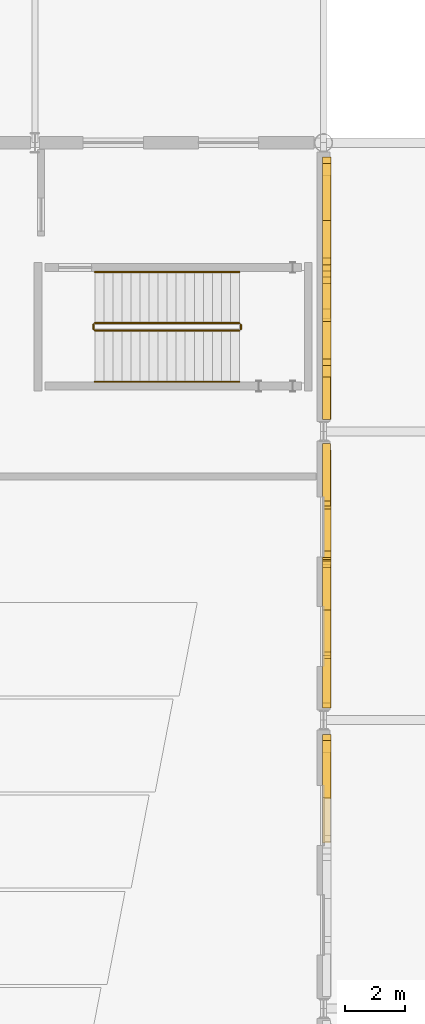
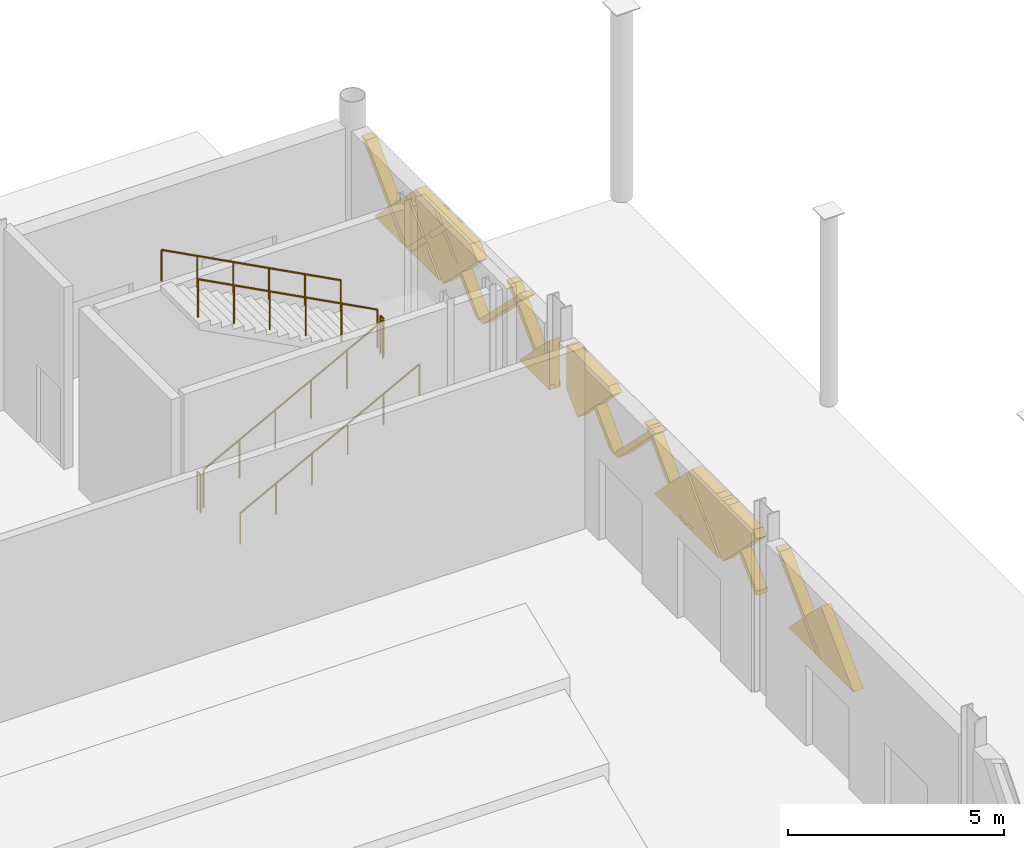
# One storey, part 84 of 84: 18 coverings, 6 railings.
"""IFC4 building model written with IfcOpenShell, lengths in metres."""

from ifc_helpers import new_model, si_unit, direction, frame, origin, origin_2d, place, context, subcontext, project, spatial, polyline, circle, outline, extrude, material, layer, layer_set, type_object, element, save


model = new_model("IFC4")

# Units and contexts
model_context = context("Model", 3, precision=1e-05, world=origin(), true_north=direction((0.0, 1.0)))
body_context = subcontext(model_context, "Body", "Model", "MODEL_VIEW")
ifc_project = project(units=[si_unit("LENGTHUNIT", "METRE"), si_unit("AREAUNIT", "SQUARE_METRE"), si_unit("VOLUMEUNIT", "CUBIC_METRE"), si_unit("PLANEANGLEUNIT", "RADIAN"), si_unit("MASSUNIT", "GRAM", prefix="KILO")], contexts=[model_context])

# Site, building, storey
site_placement = place(None, origin())
site = spatial("IfcSite", under=ifc_project, at=site_placement, CompositionType="ELEMENT")
building_placement = place(site_placement, origin())
building = spatial("IfcBuilding", under=site, at=building_placement, Name="Zevrakil Square Congress Hotel", CompositionType="ELEMENT")
storey_placement = place(building_placement, origin())
storey = spatial("IfcBuildingStorey", under=building, at=storey_placement, Name="L01", CompositionType="ELEMENT", Elevation=0.0)

# Coverings
ifc_material_1 = material(Name="Architectural White Fibre-C GRC", Category="concrete")
ifc_layer_1 = layer(ifc_material_1, 0.06494140625)
ifc_layer_set_1 = layer_set([ifc_layer_1], Name="Architectural White Fibre-C GRC")
covering_type_1 = type_object("IfcCoveringType", Name="COV-DIA-WHITE", PredefinedType="CLADDING", material=ifc_layer_set_1)
for number, where, z_axis, x_axis, name in (
    (1, (165.8291015625, 91.02001953125, 4.139892578125), (0.999999790873, 0.0, 0.000646725815), (0.000457304257, 0.707106707249, -0.707106707249), "L01 45-degree white GRC diamond facade cassette 941"),
    (2, (165.8291015625, 97.260009765625, 4.139892578125), (0.999999790873, 0.0, 0.000646725815), (0.000457304257, 0.707106707249, -0.707106707249), "L01 45-degree white GRC diamond facade cassette 974"),
):
    element("IfcCovering", number, at=place(storey_placement, frame(where, z_axis=z_axis, x_axis=x_axis)), inside=storey, type_object=covering_type_1, Name=name, PredefinedType="CLADDING", context=body_context, shape_type="SweptSolid", body=[
        extrude(outline(polyline([(0.0, 0.0), (2.1354765131557993, 0.0), (4.465861884739297e-07, -2.1354765131557527), (0.0, 0.0)])), origin(), (0.0, 0.0, -1.0), 0.27001953125),
    ])
covering_1_placement = place(storey_placement, frame((165.8291015625, 97.169921875, 4.22998046875), z_axis=(0.999999803724, -8.07688e-07, 0.000626539465), x_axis=(0.00044249326, -0.707052458079, -0.70716096168)))
element("IfcCovering", 3, at=covering_1_placement, inside=storey, type_object=covering_type_1, Name="L01 45-degree white GRC diamond facade cassette 975", PredefinedType="CLADDING", context=body_context, shape_type="SweptSolid", body=[
    extrude(outline(polyline([(0.0, 0.0), (2.2485513373808494, 2.220446049250313e-16), (2.248379569122854, -2.234568012423998), (2.2342225381517227, -2.2487228684184846), (2.0149779180247176, -2.2487061124420116), (-1.8015363149936903e-05, -0.2334005651501796), (0.0, 0.0)])), origin(), (0.0, 0.0, -1.0), 0.27001953125),
])
covering_2_placement = place(storey_placement, frame((165.829833984375, 102.300048828125, 2.639892578125), z_axis=(0.999999814078, 4.5803963e-05, 0.000608066682), x_axis=(-0.000397579809, -0.707106748799, 0.707106701802)))
element("IfcCovering", 4, at=covering_2_placement, inside=storey, type_object=covering_type_1, Name="L01 45-degree white GRC diamond facade cassette 976", PredefinedType="CLADDING", context=body_context, shape_type="SweptSolid", body=[
    extrude(outline(polyline([(0.0, 0.0), (2.248723973755684, -2.220446049250313e-16), (2.2487240630648127, -0.23340056844139778), (0.8875090449305891, -1.5946157084161463), (7.356714415429622e-08, -0.7071068184861958), (0.0, 0.0)])), origin(), (0.0, 0.0, -1.0), 0.27001953125),
])
covering_3_placement = place(storey_placement, frame((165.830078125, 105.010009765625, 2.6298828125), z_axis=(0.999999760208, 0.0, 0.00069252061), x_axis=(0.0, -1.0, 0.0)))
element("IfcCovering", 5, at=covering_3_placement, inside=storey, type_object=covering_type_1, Name="L01 45-degree white GRC diamond facade cassette 1007", PredefinedType="CLADDING", context=body_context, shape_type="SweptSolid", body=[
    extrude(outline(polyline([(0.0, 0.0), (1.409912109375, 0.0), (1.409912109375, -1.4101565881448697), (0.0, 0.0)])), origin(), (0.0, 0.0, -1.0), 0.27001953125),
])
covering_4_placement = place(storey_placement, frame((165.8291015625, 110.219970703125, 4.139892578125), z_axis=(0.999999790873, 0.0, 0.000646725815), x_axis=(0.000457304257, 0.707106707249, -0.707106707249)))
element("IfcCovering", 6, at=covering_4_placement, inside=storey, type_object=covering_type_1, Name="L01 45-degree white GRC diamond facade cassette 1008", PredefinedType="CLADDING", context=body_context, shape_type="SweptSolid", body=[
    extrude(outline(polyline([(0.0, 0.0), (2.1354765131557993, 0.0), (4.465861884739297e-07, -2.1354765131557527), (0.0, 0.0)])), origin(), (0.0, 0.0, -1.0), 0.27001953125),
])
covering_5_placement = place(storey_placement, frame((165.8291015625, 110.1298828125, 4.22998046875), z_axis=(0.999999852381, 0.0, 0.00054335861), x_axis=(0.000384242074, -0.707052454375, -0.707160999434)))
element("IfcCovering", 7, at=covering_5_placement, inside=storey, type_object=covering_type_1, Name="L01 45-degree white GRC diamond facade cassette 1009", PredefinedType="CLADDING", context=body_context, shape_type="SweptSolid", body=[
    extrude(outline(polyline([(0.0, 0.0), (2.248551348859632, 0.0), (2.248378471249448, -2.2487239690700145), (1.8029840035601115, -2.24868981178257), (-3.4279142421073105e-05, -0.44539446767997504), (0.0, 0.0)])), origin(), (0.0, 0.0, -1.0), 0.27001953125),
])
ifc_material_2 = material(Name="Anodised Champagne Aluminium", Category="aluminium")
ifc_layer_2 = layer(ifc_material_2, 0.0849609375)
ifc_layer_set_2 = layer_set([ifc_layer_2], Name="Anodised Champagne Aluminium")
covering_type_2 = type_object("IfcCoveringType", Name="COV-DIAGRID-45", PredefinedType="MOLDING", material=ifc_layer_set_2)
covering_6_placement = place(storey_placement, frame((165.85498046875, 91.2060546875, 2.6298828125), z_axis=(0.999999796842, 0.0, 0.000637429753), x_axis=(0.0, -1.0, 0.0)))
element("IfcCovering", 8, at=covering_6_placement, inside=storey, type_object=covering_type_2, Name="L01 45-degree aluminium diagrid rib 945", PredefinedType="MOLDING", context=body_context, shape_type="SweptSolid", body=[
    extrude(outline(polyline([(0.0, 0.0), (0.212158203125, 0.0), (-1.702880859375, -1.9150394515562854), (-1.9150390625, -1.9150394515562854), (0.0, 0.0)])), origin(), (0.0, 0.0, -1.0), 0.294921875),
])
covering_7_placement = place(storey_placement, frame((165.85498046875, 94.086181640625, 2.6298828125), z_axis=(0.999999906989, 0.000168052447, 0.000397214875), x_axis=(0.000168052434, -0.999999985879, 6.6753e-08)))
element("IfcCovering", 9, at=covering_7_placement, inside=storey, type_object=covering_type_2, Name="L01 45-degree aluminium diagrid rib 977", PredefinedType="MOLDING", context=body_context, shape_type="SweptSolid", body=[
    extrude(outline(polyline([(0.0, 0.0), (0.0861816394080452, 1.1406045165281983e-24), (0.08618164783364732, -0.12622069316746967), (-1.552734399359781, -1.7651369674038146), (-1.7648925994889348, -1.7651369674038146), (0.0, 0.0)])), origin(), (0.0, 0.0, -1.0), 0.294921875),
])
covering_8_placement = place(storey_placement, frame((165.85498046875, 97.446044921875, 2.6298828125), z_axis=(0.999999846957, 0.0, 0.000553250261), x_axis=(0.0, -1.0, 0.0)))
element("IfcCovering", 10, at=covering_8_placement, inside=storey, type_object=covering_type_2, Name="L01 45-degree aluminium diagrid rib 978", PredefinedType="MOLDING", context=body_context, shape_type="SweptSolid", body=[
    extrude(outline(polyline([(0.0, 0.0), (0.212158203125, 0.0), (-1.552734375, -1.7651369888917496), (-1.76513671875, -1.7651369888917496), (0.0, 0.0)])), origin(), (0.0, 0.0, -1.0), 0.294921875),
])
covering_9_placement = place(storey_placement, frame((165.85498046875, 100.80615234375, 2.6298828125), z_axis=(0.999999846957, 0.0, 0.000553250261), x_axis=(0.0, -1.0, 0.0)))
element("IfcCovering", 11, at=covering_9_placement, inside=storey, type_object=covering_type_2, Name="L01 45-degree aluminium diagrid rib 979", PredefinedType="MOLDING", context=body_context, shape_type="SweptSolid", body=[
    extrude(outline(polyline([(0.0, 0.0), (0.212158203125, 0.0), (-1.552734375, -1.7651369888917499), (-1.764892578125, -1.7651369888917499), (0.0, 0.0)])), origin(), (0.0, 0.0, -1.0), 0.294921875),
])
covering_10_placement = place(storey_placement, frame((165.85400390625, 95.308837890625, 4.39501953125), z_axis=(0.999999846957, 0.0, 0.000553250261), x_axis=(0.0, 1.0, 0.0)))
element("IfcCovering", 12, at=covering_10_placement, inside=storey, type_object=covering_type_2, Name="L01 45-degree aluminium diagrid rib 980", PredefinedType="MOLDING", context=body_context, shape_type="SweptSolid", body=[
    extrude(outline(polyline([(0.0, 0.0), (0.212158203125, 0.0), (1.977294921875, -1.7651369888917499), (1.76513671875, -1.7651369888917499), (0.0, 0.0)])), origin(), (0.0, 0.0, -1.0), 0.294921875),
])
covering_11_placement = place(storey_placement, frame((165.85400390625, 98.6689453125, 4.39501953125), z_axis=(0.999999846957, 0.0, 0.000553250261), x_axis=(0.0, 1.0, 0.0)))
element("IfcCovering", 13, at=covering_11_placement, inside=storey, type_object=covering_type_2, Name="L01 45-degree aluminium diagrid rib 981", PredefinedType="MOLDING", context=body_context, shape_type="SweptSolid", body=[
    extrude(outline(polyline([(0.0, 0.0), (0.212158203125, 0.0), (1.97705078125, -1.7651369888917499), (1.764892578125, -1.7651369888917499), (0.0, 0.0)])), origin(), (0.0, 0.0, -1.0), 0.294921875),
])
covering_12_placement = place(storey_placement, frame((165.85498046875, 103.68603515625, 2.6298828125), z_axis=(0.999999876977, 0.000193407177, 0.000456770142), x_axis=(0.000193407157, -0.999999981297, 8.8343e-08)))
element("IfcCovering", 14, at=covering_12_placement, inside=storey, type_object=covering_type_2, Name="L01 45-degree aluminium diagrid rib 1010", PredefinedType="MOLDING", context=body_context, shape_type="SweptSolid", body=[
    extrude(outline(polyline([(0.0, 0.0), (0.08593749839269647, 1.137373342260413e-24), (0.08593750954336479, -0.12622068995772054), (-1.7028808944388751, -1.915039420304851), (-1.9150390935958446, -1.915039420304851), (0.0, 0.0)])), origin(), (0.0, 0.0, -1.0), 0.294921875),
])
covering_13_placement = place(storey_placement, frame((165.85498046875, 107.046142578125, 2.6298828125), z_axis=(0.999999796842, 0.0, 0.000637429753), x_axis=(0.0, -1.0, 0.0)))
element("IfcCovering", 15, at=covering_13_placement, inside=storey, type_object=covering_type_2, Name="L01 45-degree aluminium diagrid rib 1011", PredefinedType="MOLDING", context=body_context, shape_type="SweptSolid", body=[
    extrude(outline(polyline([(0.0, 0.0), (0.212158203125, 0.0), (-1.70263671875, -1.9150394515562854), (-1.9150390625, -1.9150394515562854), (0.0, 0.0)])), origin(), (0.0, 0.0, -1.0), 0.294921875),
])
covering_14_placement = place(storey_placement, frame((165.85498046875, 110.406005859375, 2.6298828125), z_axis=(0.999999796842, 0.0, 0.000637429753), x_axis=(0.0, -1.0, 0.0)))
element("IfcCovering", 16, at=covering_14_placement, inside=storey, type_object=covering_type_2, Name="L01 45-degree aluminium diagrid rib 1012", PredefinedType="MOLDING", context=body_context, shape_type="SweptSolid", body=[
    extrude(outline(polyline([(0.0, 0.0), (0.212158203125, 0.0), (-1.702880859375, -1.9150394515562854), (-1.9150390625, -1.9150394515562854), (0.0, 0.0)])), origin(), (0.0, 0.0, -1.0), 0.294921875),
])
covering_15_placement = place(storey_placement, frame((165.853759765625, 104.7587890625, 4.544921875), z_axis=(0.999999796842, 0.0, 0.000637429753), x_axis=(0.0, 1.0, 0.0)))
element("IfcCovering", 17, at=covering_15_placement, inside=storey, type_object=covering_type_2, Name="L01 45-degree aluminium diagrid rib 1013", PredefinedType="MOLDING", context=body_context, shape_type="SweptSolid", body=[
    extrude(outline(polyline([(0.0, 0.0), (0.21240234375, 0.0), (2.127197265625, -1.9150394515562854), (1.9150390625, -1.9150394515562854), (0.0, 0.0)])), origin(), (0.0, 0.0, -1.0), 0.294921875),
])
covering_16_placement = place(storey_placement, frame((165.853759765625, 108.118896484375, 4.544921875), z_axis=(0.999999796842, 0.0, 0.000637429753), x_axis=(0.0, 1.0, 0.0)))
element("IfcCovering", 18, at=covering_16_placement, inside=storey, type_object=covering_type_2, Name="L01 45-degree aluminium diagrid rib 1014", PredefinedType="MOLDING", context=body_context, shape_type="SweptSolid", body=[
    extrude(outline(polyline([(0.0, 0.0), (0.212158203125, 0.0), (2.127197265625, -1.9150394515562854), (1.9150390625, -1.9150394515562854), (0.0, 0.0)])), origin(), (0.0, 0.0, -1.0), 0.294921875),
])

# Railings
ifc_material_3 = material(Name="Steel S355", Category="steel")
railing_type_1 = type_object("IfcRailingType", Name="RLG-STAIR-GUARD-1100", PredefinedType="BALUSTRADE", material=ifc_material_3)
railing_1_placement = place(storey_placement, frame((158.0, 106.550048828125, 0.158935546875)))
element("IfcRailing", 19, at=railing_1_placement, inside=storey, type_object=railing_type_1, Name="L01 ST10 stair guard 1", PredefinedType="BALUSTRADE", context=body_context, shape_type="SweptSolid", body=[
    extrude(circle(Radius=0.02392578125, at=origin_2d()), frame((0.0, 0.0, 1.076171875), z_axis=(0.883802130504, 0.0, 0.467860870469), x_axis=(0.0, 1.0, 0.0)), (0.0, 0.0, 1.0), 5.43115234375),
    extrude(circle(Radius=0.02099609375, at=origin_2d()), origin(), (0.0, 0.0, 1.0), 1.052001953125),
    extrude(circle(Radius=0.02099609375, at=origin_2d()), frame((0.9599609375, 0.0, 0.50830078125)), (0.0, 0.0, 1.0), 1.052001953125),
    extrude(circle(Radius=0.02099609375, at=origin_2d()), frame((1.919921875, 0.0, 1.016357421875)), (0.0, 0.0, 1.0), 1.052001953125),
    extrude(circle(Radius=0.02099609375, at=origin_2d()), frame((2.880126953125, 0.0, 1.524658203125)), (0.0, 0.0, 1.0), 1.052001953125),
    extrude(circle(Radius=0.02099609375, at=origin_2d()), frame((3.840087890625, 0.0, 2.03271484375)), (0.0, 0.0, 1.0), 1.052001953125),
    extrude(circle(Radius=0.02099609375, at=origin_2d()), frame((4.800048828125, 0.0, 2.541015625)), (0.0, 0.0, 1.0), 1.052001953125),
])
railing_2_placement = place(storey_placement, frame((162.85009765625, 106.60009765625, 2.699951171875)))
element("IfcRailing", 20, at=railing_2_placement, inside=storey, type_object=railing_type_1, Name="L01 ST10 stair guard 2", PredefinedType="BALUSTRADE", context=body_context, shape_type="SweptSolid", body=[
    extrude(circle(Radius=0.02392578125, at=origin_2d()), frame((0.0, 0.0, 1.076171875), z_axis=(0.0, 1.0, 0.0), x_axis=(-1.0, 0.0, 0.0)), (0.0, 0.0, 1.0), 0.14990234375),
    extrude(circle(Radius=0.02099609375, at=origin_2d()), origin(), (0.0, 0.0, 1.0), 1.052001953125),
    extrude(circle(Radius=0.02099609375, at=origin_2d()), frame((0.0, 0.14990234375, 0.0)), (0.0, 0.0, 1.0), 1.052001953125),
])
railing_3_placement = place(storey_placement, frame((162.800048828125, 106.800048828125, 2.85888671875)))
element("IfcRailing", 21, at=railing_3_placement, inside=storey, type_object=railing_type_1, Name="L01 ST10 stair guard 3", PredefinedType="BALUSTRADE", context=body_context, shape_type="SweptSolid", body=[
    extrude(circle(Radius=0.02392578125, at=origin_2d()), frame((0.0, 0.0, 1.076171875), z_axis=(-0.883802130504, 0.0, 0.467860870469), x_axis=(0.0, -1.0, 0.0)), (0.0, 0.0, 1.0), 5.43115234375),
    extrude(circle(Radius=0.02099609375, at=origin_2d()), origin(), (0.0, 0.0, 1.0), 1.052001953125),
    extrude(circle(Radius=0.02099609375, at=origin_2d()), frame((-0.9599609375, 0.0, 0.50830078125)), (0.0, 0.0, 1.0), 1.052001953125),
    extrude(circle(Radius=0.02099609375, at=origin_2d()), frame((-1.919921875, 0.0, 1.016357421875)), (0.0, 0.0, 1.0), 1.052001953125),
    extrude(circle(Radius=0.02099609375, at=origin_2d()), frame((-2.880126953125, 0.0, 1.524658203125)), (0.0, 0.0, 1.0), 1.052001953125),
    extrude(circle(Radius=0.02099609375, at=origin_2d()), frame((-3.840087890625, 0.0, 2.03271484375)), (0.0, 0.0, 1.0), 1.052001953125),
    extrude(circle(Radius=0.02099609375, at=origin_2d()), frame((-4.800048828125, 0.0, 2.541015625)), (0.0, 0.0, 1.0), 1.052001953125),
])
railing_4_placement = place(storey_placement, frame((157.949951171875, 106.60009765625, 0.0)))
element("IfcRailing", 22, at=railing_4_placement, inside=storey, type_object=railing_type_1, Name="L01 ST10 stair guard 4", PredefinedType="BALUSTRADE", context=body_context, shape_type="SweptSolid", body=[
    extrude(circle(Radius=0.02392578125, at=origin_2d()), frame((0.0, 0.0, 1.076171875), z_axis=(0.0, 1.0, 0.0), x_axis=(-1.0, 0.0, 0.0)), (0.0, 0.0, 1.0), 0.14990234375),
    extrude(circle(Radius=0.02099609375, at=origin_2d()), origin(), (0.0, 0.0, 1.0), 1.052001953125),
    extrude(circle(Radius=0.02099609375, at=origin_2d()), frame((0.0, 0.14990234375, 0.0)), (0.0, 0.0, 1.0), 1.052001953125),
])
ifc_material_4 = material(Name="Steel S355", Category="steel")
railing_type_2 = type_object("IfcRailingType", Name="RLG-STAIR-HAND-900", PredefinedType="HANDRAIL", material=ifc_material_4)
railing_5_placement = place(storey_placement, frame((158.0, 104.85009765625, 0.158935546875)))
element("IfcRailing", 23, at=railing_5_placement, inside=storey, type_object=railing_type_2, Name="L01 ST10 stair handrail 1", PredefinedType="HANDRAIL", context=body_context, shape_type="SweptSolid", body=[
    extrude(circle(Radius=0.02392578125, at=origin_2d()), frame((0.0, 0.0, 0.8759765625), z_axis=(0.883802130504, 0.0, 0.467860870469), x_axis=(0.0, 1.0, 0.0)), (0.0, 0.0, 1.0), 5.43115234375),
    extrude(circle(Radius=0.02099609375, at=origin_2d()), origin(), (0.0, 0.0, 1.0), 0.851806640625),
    extrude(circle(Radius=0.02099609375, at=origin_2d()), frame((0.9599609375, 0.0, 0.50830078125)), (0.0, 0.0, 1.0), 0.851806640625),
    extrude(circle(Radius=0.02099609375, at=origin_2d()), frame((1.919921875, 0.0, 1.016357421875)), (0.0, 0.0, 1.0), 0.851806640625),
    extrude(circle(Radius=0.02099609375, at=origin_2d()), frame((2.880126953125, 0.0, 1.524658203125)), (0.0, 0.0, 1.0), 0.851806640625),
    extrude(circle(Radius=0.02099609375, at=origin_2d()), frame((3.840087890625, 0.0, 2.03271484375)), (0.0, 0.0, 1.0), 0.851806640625),
    extrude(circle(Radius=0.02099609375, at=origin_2d()), frame((4.800048828125, 0.0, 2.541015625)), (0.0, 0.0, 1.0), 0.851806640625),
])
railing_6_placement = place(storey_placement, frame((162.800048828125, 108.5, 2.85888671875)))
element("IfcRailing", 24, at=railing_6_placement, inside=storey, type_object=railing_type_2, Name="L01 ST10 stair handrail 2", PredefinedType="HANDRAIL", context=body_context, shape_type="SweptSolid", body=[
    extrude(circle(Radius=0.02392578125, at=origin_2d()), frame((0.0, 0.0, 0.8759765625), z_axis=(-0.883802130504, 0.0, 0.467860870469), x_axis=(0.0, -1.0, 0.0)), (0.0, 0.0, 1.0), 5.43115234375),
    extrude(circle(Radius=0.02099609375, at=origin_2d()), origin(), (0.0, 0.0, 1.0), 0.851806640625),
    extrude(circle(Radius=0.02099609375, at=origin_2d()), frame((-0.9599609375, 0.0, 0.50830078125)), (0.0, 0.0, 1.0), 0.851806640625),
    extrude(circle(Radius=0.02099609375, at=origin_2d()), frame((-1.919921875, 0.0, 1.016357421875)), (0.0, 0.0, 1.0), 0.851806640625),
    extrude(circle(Radius=0.02099609375, at=origin_2d()), frame((-2.880126953125, 0.0, 1.524658203125)), (0.0, 0.0, 1.0), 0.851806640625),
    extrude(circle(Radius=0.02099609375, at=origin_2d()), frame((-3.840087890625, 0.0, 2.03271484375)), (0.0, 0.0, 1.0), 0.851806640625),
    extrude(circle(Radius=0.02099609375, at=origin_2d()), frame((-4.800048828125, 0.0, 2.541015625)), (0.0, 0.0, 1.0), 0.851806640625),
])

save(model, "model.ifc")
